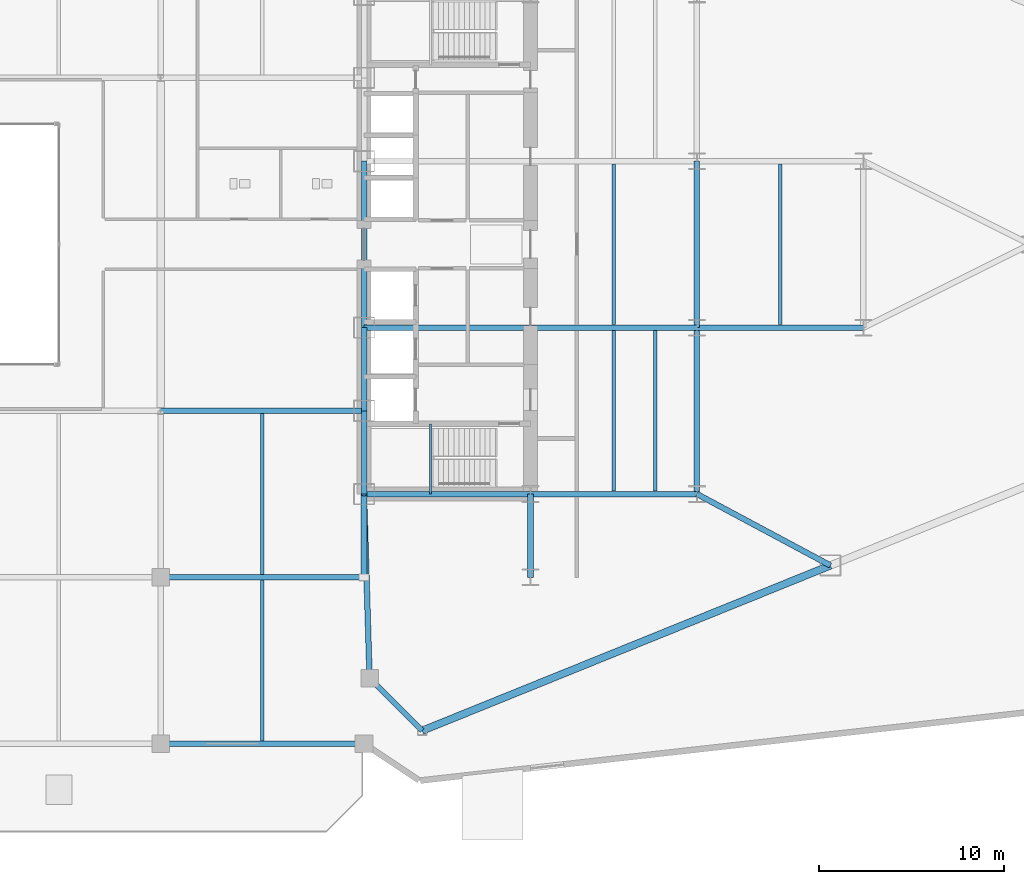
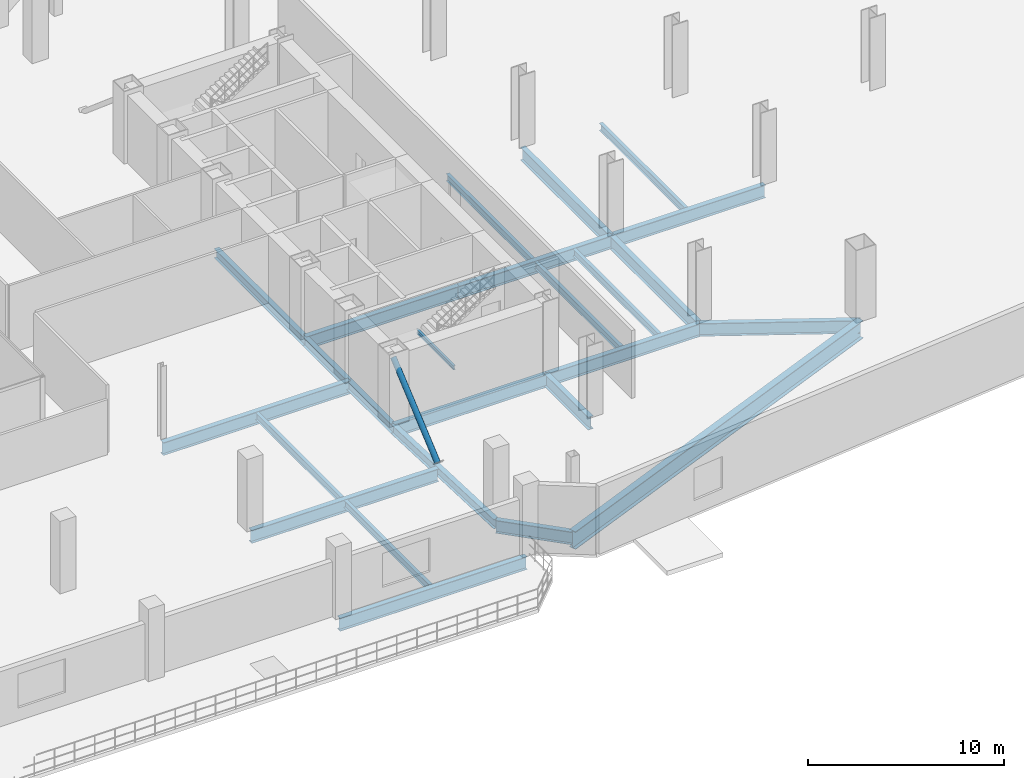
# One storey, part 11 of 25: 25 beams, 1 member.
"""IFC4 building model written with IfcOpenShell, lengths in metres."""

from ifc_helpers import new_model, si_unit, direction, frame, origin, origin_2d, place, context, subcontext, project, spatial, hollow_circle, i_section, extrude, source, transform, mapped, material, material_profile, profile_set, type_object, type_shapes, element, save


model = new_model("IFC4")

# Units and contexts
model_context = context("Model", 3, precision=1e-05, world=origin(), true_north=direction((0.0, 1.0)))
body_context = subcontext(model_context, "Body", "Model", "MODEL_VIEW")
ifc_project = project(units=[si_unit("LENGTHUNIT", "METRE"), si_unit("AREAUNIT", "SQUARE_METRE"), si_unit("VOLUMEUNIT", "CUBIC_METRE"), si_unit("PLANEANGLEUNIT", "RADIAN"), si_unit("MASSUNIT", "GRAM", prefix="KILO")], contexts=[model_context])

# Site, building, storey
site_placement = place(None, origin())
site = spatial("IfcSite", under=ifc_project, at=site_placement, CompositionType="ELEMENT")
building_placement = place(site_placement, origin())
building = spatial("IfcBuilding", under=site, at=building_placement, Name="Seokmaru Belvedere", CompositionType="ELEMENT")
storey_placement = place(building_placement, frame((0.0, 0.0, 5.39990234375)))
storey = spatial("IfcBuildingStorey", under=building, at=storey_placement, Name="L01", CompositionType="ELEMENT", Elevation=5.39990234375)

# Beams
ifc_material = material(Name="Steel SM355 (355 MPa)", Category="steel")
ifc_material_profile_1 = material_profile(ifc_material, i_section(OverallWidth=0.300048828125, OverallDepth=0.587890625, WebThickness=0.011962890625, FlangeThickness=0.02001953125, at=origin_2d()), Name="H-588x300x12x20")
ifc_profile_set_1 = profile_set([ifc_material_profile_1], Name="Steel SM355 (355 MPa)")
beam_type_1 = type_object("IfcBeamType", Name="Podium Edge Spandrel Beam H-588", PredefinedType="SPANDREL", material=ifc_profile_set_1)
shared_shape_1 = source(origin(), body_context, "Body", "SweptSolid", [
    extrude(i_section(OverallWidth=0.300048828125, OverallDepth=0.587890625, WebThickness=0.011962890625, FlangeThickness=0.02001953125, at=origin_2d()), origin(), (0.0, 0.0, 1.0), 4.5),
])
for number, where, z_axis, x_axis, name in (
    (1, (27.5, -13.5, -0.573974609375), (0.0, 1.0, 0.0), (-1.0, 0.0, 0.0), "L01 E Portal Spine Spandrel 1"),
    (2, (27.5, -9.0, -0.573974609375), (0.0, 1.0, 0.0), (-1.0, 0.0, 0.0), "L01 E Portal Spine Spandrel 2"),
):
    element("IfcBeam", number, at=place(storey_placement, frame(where, z_axis=z_axis, x_axis=x_axis)), inside=storey, type_object=beam_type_1, Name=name, PredefinedType="SPANDREL", context=body_context, shape_type="MappedRepresentation", body=[
        mapped(shared_shape_1, transform((0.0, 0.0, 0.0), scale=1.0)),
    ])
shared_shape_2 = source(origin(), body_context, "Body", "SweptSolid", [
    extrude(i_section(OverallWidth=0.300048828125, OverallDepth=0.587890625, WebThickness=0.011962890625, FlangeThickness=0.02001953125, at=origin_2d()), origin(), (0.0, 0.0, 1.0), 9.0),
])
beam_1_placement = place(storey_placement, frame((27.5, -4.5, -0.573974609375), z_axis=(0.0, 1.0, 0.0), x_axis=(-1.0, 0.0, 0.0)))
element("IfcBeam", 3, at=beam_1_placement, inside=storey, type_object=beam_type_1, Name="L01 E Portal Spine Spandrel 3", PredefinedType="SPANDREL", context=body_context, shape_type="MappedRepresentation", body=[
    mapped(shared_shape_2, transform((0.0, 0.0, 0.0), scale=1.0)),
])
ifc_material_profile_2 = material_profile(ifc_material, i_section(OverallWidth=0.39990234375, OverallDepth=1.10009765625, WebThickness=0.02001953125, FlangeThickness=0.033935546875, at=origin_2d()), Name="BH-1100x400x20x34")
ifc_profile_set_2 = profile_set([ifc_material_profile_2], Name="Steel SM355 (355 MPa)")
beam_type_2 = type_object("IfcBeamType", Name="Sky-Gate Transverse Girder BH-1100", PredefinedType="BEAM", material=ifc_profile_set_2)
shared_shape_3 = source(origin(), body_context, "Body", "SweptSolid", [
    extrude(i_section(OverallWidth=0.39990234375, OverallDepth=1.10009765625, WebThickness=0.02001953125, FlangeThickness=0.033935546875, at=origin_2d()), origin(), (0.0, 0.0, 1.0), 23.811767578125),
])
type_shapes(beam_type_2, [shared_shape_3])
beam_2_placement = place(storey_placement, frame((30.643310546875, -26.294677734375, -0.829833984375), z_axis=(0.92694579442, 0.375195274766, 0.0), x_axis=(-0.375195274766, 0.92694579442, 0.0)))
element("IfcBeam", 4, at=beam_2_placement, inside=storey, type_object=beam_type_2, Name="L01 E Podium Long-Span Flank Girder S-1", PredefinedType="BEAM", context=body_context, shape_type="MappedRepresentation", body=[
    mapped(shared_shape_3, transform((0.0, 0.0, 0.0), scale=1.0)),
])
shared_shape_4 = source(origin(), body_context, "Body", "SweptSolid", [
    extrude(i_section(OverallWidth=0.300048828125, OverallDepth=0.587890625, WebThickness=0.011962890625, FlangeThickness=0.02001953125, at=origin_2d()), origin(), (0.0, 0.0, 1.0), 9.9560546875),
])
type_shapes(beam_type_1, [shared_shape_1, shared_shape_2, shared_shape_4])
beam_3_placement = place(storey_placement, frame((27.800048828125, -23.451416015625, -0.573974609375), z_axis=(-0.030137674137, 0.999545757131, 0.0), x_axis=(-0.999545757131, -0.030137674137, 0.0)))
element("IfcBeam", 5, at=beam_3_placement, inside=storey, type_object=beam_type_1, Name="L01 E Podium Spine Shoulder Tie S", PredefinedType="SPANDREL", context=body_context, shape_type="MappedRepresentation", body=[
    mapped(shared_shape_4, transform((0.0, 0.0, 0.0), scale=1.0)),
])
ifc_material_profile_3 = material_profile(ifc_material, i_section(OverallWidth=0.300048828125, OverallDepth=0.800048828125, WebThickness=0.013916015625, FlangeThickness=0.02587890625, at=origin_2d()), Name="H-800x300x14x26")
ifc_profile_set_3 = profile_set([ifc_material_profile_3], Name="Steel SM355 (355 MPa)")
beam_type_3 = type_object("IfcBeamType", Name="Podium Primary Girder H-800", PredefinedType="BEAM", material=ifc_profile_set_3)
shared_shape_5 = source(origin(), body_context, "Body", "SweptSolid", [
    extrude(i_section(OverallWidth=0.300048828125, OverallDepth=0.800048828125, WebThickness=0.013916015625, FlangeThickness=0.02587890625, at=origin_2d()), origin(), (0.0, 0.0, 1.0), 4.5),
])
beam_4_placement = place(storey_placement, frame((36.5, -18.0, -0.679931640625), z_axis=(0.0, 1.0, 0.0), x_axis=(-1.0, 0.0, 0.0)))
element("IfcBeam", 6, at=beam_4_placement, inside=storey, type_object=beam_type_3, Name="L01 E Core Shoulder Girder S", PredefinedType="BEAM", context=body_context, shape_type="MappedRepresentation", body=[
    mapped(shared_shape_5, transform((0.0, 0.0, 0.0), scale=1.0)),
])
shared_shape_6 = source(origin(), body_context, "Body", "SweptSolid", [
    extrude(i_section(OverallWidth=0.300048828125, OverallDepth=0.800048828125, WebThickness=0.013916015625, FlangeThickness=0.02587890625, at=origin_2d()), origin(), (0.0, 0.0, 1.0), 9.0),
])
for number, where, z_axis, x_axis, name in (
    (7, (45.5, -13.5, -0.679931640625), (0.0, 1.0, 0.0), (-1.0, 0.0, 0.0), "L01 E Interior Grid Girder 1"),
    (8, (45.5, -4.5, -0.679931640625), (0.0, 1.0, 0.0), (-1.0, 0.0, 0.0), "L01 E Interior Grid Girder 2"),
    (9, (27.5, -13.5, -0.679931640625), (1.0, 0.0, 0.0), (0.0, 1.0, 0.0), "L01 E Core Tie Girder 1"),
    (10, (36.5, -13.5, -0.679931640625), (1.0, 0.0, 0.0), (0.0, 1.0, 0.0), "L01 E Wing Primary Girder 1"),
    (11, (27.5, -4.5, -0.679931640625), (1.0, 0.0, 0.0), (0.0, 1.0, 0.0), "L01 E Core Tie Girder 2"),
    (12, (36.5, -4.5, -0.679931640625), (1.0, 0.0, 0.0), (0.0, 1.0, 0.0), "L01 E Wing Primary Girder 2"),
    (13, (45.5, -4.5, -0.679931640625), (1.0, 0.0, 0.0), (0.0, 1.0, 0.0), "L01 E Outer Wing Girder 1"),
):
    element("IfcBeam", number, at=place(storey_placement, frame(where, z_axis=z_axis, x_axis=x_axis)), inside=storey, type_object=beam_type_3, Name=name, PredefinedType="BEAM", context=body_context, shape_type="MappedRepresentation", body=[
        mapped(shared_shape_6, transform((0.0, 0.0, 0.0), scale=1.0)),
    ])
ifc_material_profile_4 = material_profile(ifc_material, i_section(OverallWidth=0.199951171875, OverallDepth=0.449951171875, WebThickness=0.009033203125, FlangeThickness=0.013916015625, at=origin_2d()), Name="H-450x200x9x14")
ifc_profile_set_4 = profile_set([ifc_material_profile_4], Name="Steel SM355 (355 MPa)")
beam_type_4 = type_object("IfcBeamType", Name="Podium Secondary Joist H-450", PredefinedType="JOIST", material=ifc_profile_set_4)
shared_shape_7 = source(origin(), body_context, "Body", "SweptSolid", [
    extrude(i_section(OverallWidth=0.199951171875, OverallDepth=0.449951171875, WebThickness=0.009033203125, FlangeThickness=0.013916015625, at=origin_2d()), origin(), (0.0, 0.0, 1.0), 8.68994140625),
])
type_shapes(beam_type_4, [shared_shape_7])
for number, where, z_axis, x_axis, name in (
    (14, (43.25, -13.344970703125, -0.5048828125), (0.0, 1.0, 0.0), (-1.0, 0.0, 0.0), "L01 E Wing Inner Secondary Joist 1"),
    (15, (41.0, -13.344970703125, -0.5048828125), (0.0, 1.0, 0.0), (-1.0, 0.0, 0.0), "L01 E Secondary Floor Joist 1"),
    (16, (41.0, -4.344970703125, -0.5048828125), (0.0, 1.0, 0.0), (-1.0, 0.0, 0.0), "L01 E Secondary Floor Joist 2"),
    (17, (50.0, -4.344970703125, -0.5048828125), (0.0, 1.0, 0.0), (-1.0, 0.0, 0.0), "L01 E Outer Bay Secondary Joist"),
    (18, (22.0, -26.844970703125, -0.5048828125), (0.0, 1.0, 0.0), (-1.0, 0.0, 0.0), "L01 Central Podium Secondary Joist 5-1"),
    (19, (22.0, -17.844970703125, -0.5048828125), (0.0, 1.0, 0.0), (-1.0, 0.0, 0.0), "L01 Central Podium Secondary Joist 5-2"),
):
    element("IfcBeam", number, at=place(storey_placement, frame(where, z_axis=z_axis, x_axis=x_axis)), inside=storey, type_object=beam_type_4, Name=name, PredefinedType="JOIST", context=body_context, shape_type="MappedRepresentation", body=[
        mapped(shared_shape_7, transform((0.0, 0.0, 0.0), scale=1.0)),
    ])
shared_shape_8 = source(origin(), body_context, "Body", "SweptSolid", [
    extrude(i_section(OverallWidth=0.300048828125, OverallDepth=0.800048828125, WebThickness=0.013916015625, FlangeThickness=0.02587890625, at=origin_2d()), origin(), (0.0, 0.0, 1.0), 4.02099609375),
])
beam_5_placement = place(storey_placement, frame((30.643310546875, -26.294677734375, -0.679931640625), z_axis=(-0.707106781187, 0.707106781187, 0.0), x_axis=(-0.707106781187, -0.707106781187, 0.0)))
element("IfcBeam", 20, at=beam_5_placement, inside=storey, type_object=beam_type_3, Name="L01 E Podium South Shoulder Girder", PredefinedType="BEAM", context=body_context, shape_type="MappedRepresentation", body=[
    mapped(shared_shape_8, transform((0.0, 0.0, 0.0), scale=1.0)),
])
shared_shape_9 = source(origin(), body_context, "Body", "SweptSolid", [
    extrude(i_section(OverallWidth=0.300048828125, OverallDepth=0.800048828125, WebThickness=0.013916015625, FlangeThickness=0.02587890625, at=origin_2d()), origin(), (0.0, 0.0, 1.0), 8.183349609375),
])
beam_6_placement = place(storey_placement, frame((52.715576171875, -17.360595703125, -0.679931640625), z_axis=(-0.881728657166, 0.47175690258, 0.0), x_axis=(-0.47175690258, -0.881728657166, 0.0)))
element("IfcBeam", 21, at=beam_6_placement, inside=storey, type_object=beam_type_3, Name="L01 E Flank Radial Floor Girder S-2", PredefinedType="BEAM", context=body_context, shape_type="MappedRepresentation", body=[
    mapped(shared_shape_9, transform((0.0, 0.0, 0.0), scale=1.0)),
])
shared_shape_10 = source(origin(), body_context, "Body", "SweptSolid", [
    extrude(i_section(OverallWidth=0.300048828125, OverallDepth=0.800048828125, WebThickness=0.013916015625, FlangeThickness=0.02587890625, at=origin_2d()), origin(), (0.0, 0.0, 1.0), 11.0),
])
type_shapes(beam_type_3, [shared_shape_5, shared_shape_6, shared_shape_8, shared_shape_9, shared_shape_10])
for number, where, z_axis, x_axis, name in (
    (22, (16.5, -27.0, -0.679931640625), (1.0, 0.0, 0.0), (0.0, 1.0, 0.0), "L01 Central Podium Girder 1-5"),
    (23, (16.5, -18.0, -0.679931640625), (1.0, 0.0, 0.0), (0.0, 1.0, 0.0), "L01 Central Podium Girder 2-5"),
    (24, (16.5, -9.0, -0.679931640625), (1.0, 0.0, 0.0), (0.0, 1.0, 0.0), "L01 Central Podium Girder 3-5"),
):
    element("IfcBeam", number, at=place(storey_placement, frame(where, z_axis=z_axis, x_axis=x_axis)), inside=storey, type_object=beam_type_3, Name=name, PredefinedType="BEAM", context=body_context, shape_type="MappedRepresentation", body=[
        mapped(shared_shape_10, transform((0.0, 0.0, 0.0), scale=1.0)),
    ])

# Member
ifc_material_profile_5 = material_profile(ifc_material, hollow_circle(Radius=0.1591796875, WallThickness=0.01025390625, at=origin_2d()), Name="CHS-318.5x10.3")
ifc_profile_set_5 = profile_set([ifc_material_profile_5], Name="Steel SM355 (355 MPa)")
member_type = type_object("IfcMemberType", Name="Podium Portal Wind Brace CHS-318", PredefinedType="BRACE", material=ifc_profile_set_5)
shared_shape_11 = source(origin(), body_context, "Body", "SweptSolid", [
    extrude(hollow_circle(Radius=0.1591796875, WallThickness=0.01025390625, at=origin_2d()), origin(), (0.0, 0.0, 1.0), 5.90283203125),
])
type_shapes(member_type, [shared_shape_11])
member_placement = place(storey_placement, frame((27.5, -18.0, 0.0), z_axis=(0.0, 0.76235144486, 0.64716325183), x_axis=(-1.0, 0.0, 0.0)))
element("IfcMember", 25, at=member_placement, inside=storey, type_object=member_type, Name="L01 Podium Portal Wind Brace ES", PredefinedType="BRACE", context=body_context, shape_type="MappedRepresentation", body=[
    mapped(shared_shape_11, transform((0.0, 0.0, 0.0), scale=1.0)),
])

# Beam
ifc_material_profile_6 = material_profile(ifc_material, i_section(OverallWidth=0.125, OverallDepth=0.25, WebThickness=0.006103515625, FlangeThickness=0.009033203125, at=origin_2d()), Name="H-250x125x6x9")
ifc_profile_set_6 = profile_set([ifc_material_profile_6], Name="Steel SM355 (355 MPa)")
beam_type_5 = type_object("IfcBeamType", Name="Stair Mid-Landing Support Beam H-250", PredefinedType="JOIST", material=ifc_profile_set_6)
shared_shape_12 = source(origin(), body_context, "Body", "SweptSolid", [
    extrude(i_section(OverallWidth=0.125, OverallDepth=0.25, WebThickness=0.006103515625, FlangeThickness=0.009033203125, at=origin_2d()), origin(), (0.0, 0.0, 1.0), 3.800048828125),
])
type_shapes(beam_type_5, [shared_shape_12])
beam_7_placement = place(storey_placement, frame((31.090087890625, -13.5, 1.925048828125), z_axis=(0.0, 1.0, 0.0), x_axis=(-1.0, 0.0, 0.0)))
element("IfcBeam", 26, at=beam_7_placement, inside=storey, type_object=beam_type_5, Name="L01 Stair ST-E1 Mid-Landing Support Beam 1", PredefinedType="JOIST", context=body_context, shape_type="MappedRepresentation", body=[
    mapped(shared_shape_12, transform((0.0, 0.0, 0.0), scale=1.0)),
])

save(model, "model.ifc")
